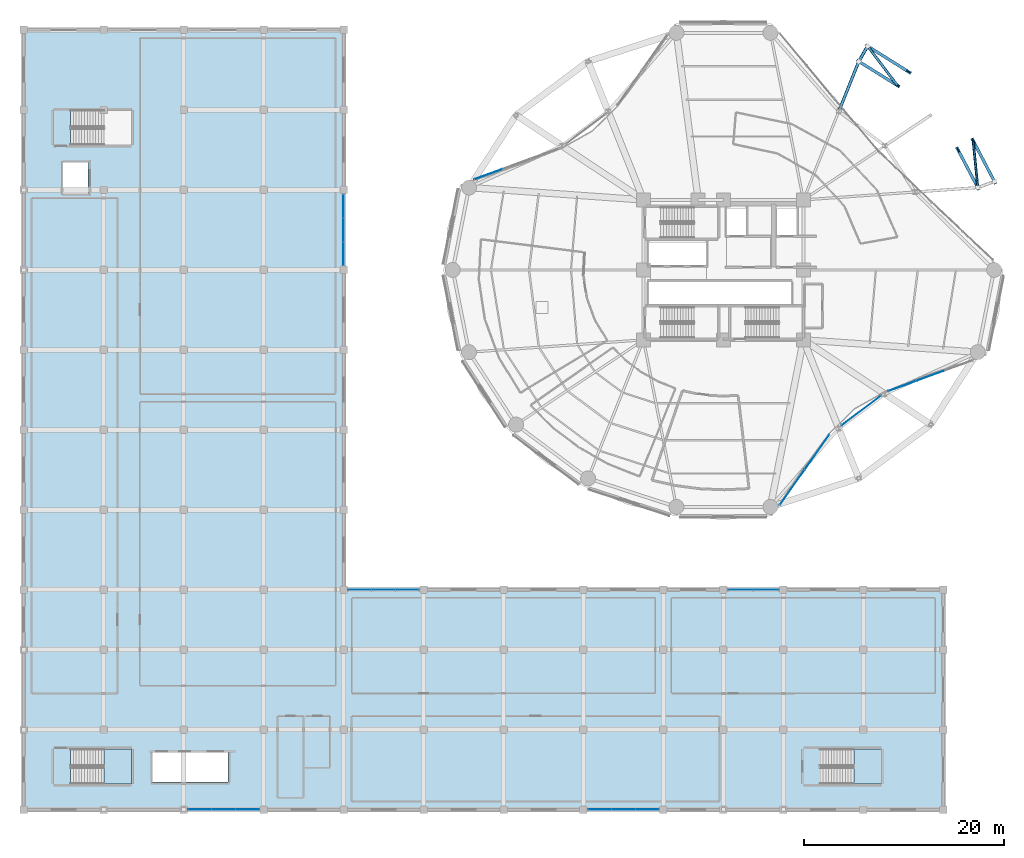
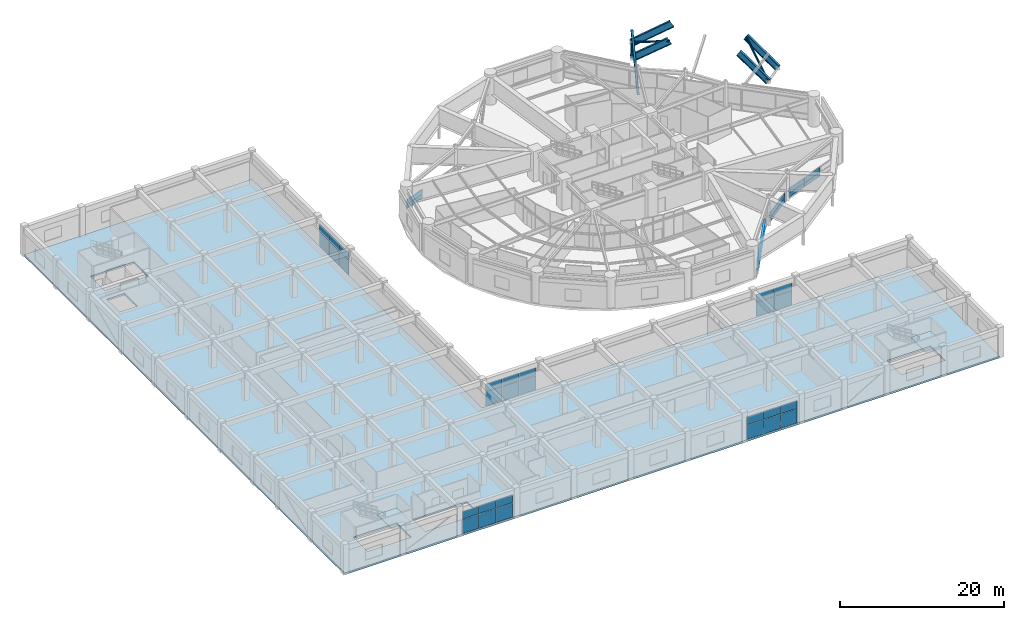
# One storey, part 38 of 53: 40 plates, 4 beams, 4 members, 3 slabs, 11 elements without a shape of their own.
"""IFC4 building model written with IfcOpenShell, lengths in metres."""

from ifc_helpers import new_model, si_unit, direction, frame, origin, origin_2d, place, context, subcontext, project, spatial, polyline, rectangle, hollow_rectangle, hollow_circle, i_section, outline, extrude, source, transform, mapped, material, layer, layer_set, material_profile, profile_set, type_object, element, aggregate, save


model = new_model("IFC4")

# Units and contexts
model_context = context("Model", 3, precision=1e-05, world=origin(), true_north=direction((0.0, 1.0)))
body_context = subcontext(model_context, "Body", "Model", "MODEL_VIEW")
ifc_project = project(units=[si_unit("LENGTHUNIT", "METRE"), si_unit("AREAUNIT", "SQUARE_METRE"), si_unit("VOLUMEUNIT", "CUBIC_METRE"), si_unit("PLANEANGLEUNIT", "RADIAN"), si_unit("MASSUNIT", "GRAM", prefix="KILO")], contexts=[model_context])

# Site, building, storey
site_placement = place(None, origin())
site = spatial("IfcSite", under=ifc_project, at=site_placement, CompositionType="ELEMENT")
building_placement = place(site_placement, origin())
building = spatial("IfcBuilding", under=site, at=building_placement, Name="Kelanora Arch Commons", CompositionType="ELEMENT")
storey_placement = place(building_placement, frame((0.0, 0.0, 9.0)))
storey = spatial("IfcBuildingStorey", under=building, at=storey_placement, Name="L02", CompositionType="ELEMENT", Elevation=9.0)

# Beams
ifc_material_1 = material(Name="Steel S355", Category="steel")
ifc_material_profile_1 = material_profile(ifc_material_1, i_section(OverallWidth=0.302001953125, OverallDepth=1.008056640625, WebThickness=0.02099609375, FlangeThickness=0.0400390625, FilletRadius=0.030029296875, at=origin_2d()), Name="HEM1000")
ifc_profile_set_1 = profile_set([ifc_material_profile_1], Name="Steel S355")
beam_type = type_object("IfcBeamType", Name="BM-ARCH-RIB", PredefinedType="USERDEFINED", material=ifc_profile_set_1)
beam_1_placement = place(storey_placement, frame((99.447021484375, 66.23583984375, 1.85009765625), z_axis=(-0.394778309359, 0.752745425407, 0.526805857018), x_axis=(-0.88559781432, -0.464452916097, 0.0)))
element("IfcBeam", 1, at=beam_1_placement, inside=storey, type_object=beam_type, Name="Parabolic Giant Arch Inner Rib 03", ObjectType="ARCH_RIB", PredefinedType="USERDEFINED", context=body_context, shape_type="SweptSolid", body=[
    extrude(i_section(OverallWidth=0.302001953125, OverallDepth=1.008056640625, WebThickness=0.02099609375, FlangeThickness=0.0400390625, FilletRadius=0.030029296875, at=origin_2d()), origin(), (0.0, 0.0, 1.0), 5.0537109375),
])
beam_2_placement = place(storey_placement, frame((101.110107421875, 66.84130859375, 2.89990234375), z_axis=(-0.389644846436, 0.748717903083, 0.536282010931), x_axis=(-0.887065672675, -0.461643252265, 0.0)))
element("IfcBeam", 2, at=beam_2_placement, inside=storey, type_object=beam_type, Name="Parabolic Giant Arch Outer Rib 03", ObjectType="ARCH_RIB", PredefinedType="USERDEFINED", context=body_context, shape_type="SweptSolid", body=[
    extrude(i_section(OverallWidth=0.302001953125, OverallDepth=1.008056640625, WebThickness=0.02099609375, FlangeThickness=0.0400390625, FilletRadius=0.030029296875, at=origin_2d()), origin(), (0.0, 0.0, 1.0), 5.454345703125),
])
beam_3_placement = place(storey_placement, frame((91.40673828125, 76.4462890625, 4.512451171875), z_axis=(-0.732879296661, 0.456349010208, -0.504612244607), x_axis=(-0.528581772688, -0.848882388545, 0.0)))
element("IfcBeam", 3, at=beam_3_placement, inside=storey, type_object=beam_type, Name="Parabolic Giant Arch Inner Rib 06", ObjectType="ARCH_RIB", PredefinedType="USERDEFINED", context=body_context, shape_type="SweptSolid", body=[
    extrude(i_section(OverallWidth=0.302001953125, OverallDepth=1.008056640625, WebThickness=0.02099609375, FlangeThickness=0.0400390625, FilletRadius=0.030029296875, at=origin_2d()), origin(), (0.0, 0.0, 1.0), 5.276123046875),
])
beam_4_placement = place(storey_placement, frame((92.54443359375, 77.80224609375, 5.824951171875), z_axis=(-0.725892747234, 0.455419938495, -0.515434185066), x_axis=(-0.531455754937, -0.847086052621, 0.0)))
element("IfcBeam", 4, at=beam_4_placement, inside=storey, type_object=beam_type, Name="Parabolic Giant Arch Outer Rib 06", ObjectType="ARCH_RIB", PredefinedType="USERDEFINED", context=body_context, shape_type="SweptSolid", body=[
    extrude(i_section(OverallWidth=0.302001953125, OverallDepth=1.008056640625, WebThickness=0.02099609375, FlangeThickness=0.0400390625, FilletRadius=0.030029296875, at=origin_2d()), origin(), (0.0, 0.0, 1.0), 5.6748046875),
])

# Members
ifc_material_profile_2 = material_profile(ifc_material_1, hollow_rectangle(XDim=0.300048828125, YDim=0.300048828125, WallThickness=0.01611328125, InnerFilletRadius=0.01611328125, OuterFilletRadius=0.031982421875, at=origin_2d()), Name="SHS300x300x16")
ifc_profile_set_2 = profile_set([ifc_material_profile_2], Name="Steel S355")
member_type_1 = type_object("IfcMemberType", Name="MEM-ARCH-SPND", PredefinedType="STRUT", material=ifc_profile_set_2)
member_1_placement = place(storey_placement, frame((85.545654296875, 73.866455078125, 0.10009765625), z_axis=(0.249033409148, 0.622781676519, 0.741704351153), x_axis=(-0.928517434423, 0.371288801302, 0.0)))
element("IfcMember", 5, at=member_1_placement, inside=storey, type_object=member_type_1, Name="Giant Arch Spandrel Strut 06", PredefinedType="STRUT", context=body_context, shape_type="SweptSolid", body=[
    extrude(hollow_rectangle(XDim=0.300048828125, YDim=0.300048828125, WallThickness=0.01611328125, InnerFilletRadius=0.01611328125, OuterFilletRadius=0.031982421875, at=origin_2d()), origin(), (0.0, 0.0, 1.0), 8.008544921875),
])
ifc_material_profile_3 = material_profile(ifc_material_1, hollow_circle(Radius=0.136474609375, WallThickness=0.012451171875, at=origin_2d()), Name="CHS273x12.5")
ifc_profile_set_3 = profile_set([ifc_material_profile_3], Name="Steel S355")
member_type_2 = type_object("IfcMemberType", Name="MEM-MKT-BRACE", PredefinedType="BRACE", material=ifc_profile_set_3)
member_2_placement = place(storey_placement, frame((99.447021484375, 66.23583984375, 1.85009765625), z_axis=(-0.074970252405, 0.760672814547, 0.644791695405), x_axis=(-0.995178277382, -0.098082599005, 0.0)))
element("IfcMember", 6, at=member_2_placement, inside=storey, type_object=member_type_2, Name="Giant Arch Spatial Diagonal Lacing 03", PredefinedType="BRACE", context=body_context, shape_type="SweptSolid", body=[
    extrude(hollow_circle(Radius=0.136474609375, WallThickness=0.012451171875, at=origin_2d()), origin(), (0.0, 0.0, 1.0), 6.16455078125),
])
member_3_placement = place(storey_placement, frame((91.40673828125, 76.4462890625, 4.512451171875), z_axis=(-0.573637645032, 0.758086595498, -0.310233083226), x_axis=(-0.797431444186, -0.603409555628, 0.0)))
element("IfcMember", 7, at=member_3_placement, inside=storey, type_object=member_type_2, Name="Giant Arch Spatial Diagonal Lacing 06", PredefinedType="BRACE", context=body_context, shape_type="SweptSolid", body=[
    extrude(hollow_circle(Radius=0.136474609375, WallThickness=0.012451171875, at=origin_2d()), origin(), (0.0, 0.0, 1.0), 5.19775390625),
])
ifc_material_profile_4 = material_profile(ifc_material_1, hollow_circle(Radius=0.161865234375, WallThickness=0.01611328125, at=origin_2d()), Name="CHS323.9x16")
ifc_profile_set_4 = profile_set([ifc_material_profile_4], Name="Steel S355")
member_type_3 = type_object("IfcMemberType", Name="MEM-MKT-CHORD", PredefinedType="CHORD", material=ifc_profile_set_4)
member_4_placement = place(storey_placement, frame((87.5400390625, 78.85400390625, 1.85009765625), z_axis=(0.430075384466, 0.744831245153, 0.510158387091), x_axis=(-0.866001808567, 0.500040865889, 0.0)))
element("IfcMember", 8, at=member_4_placement, inside=storey, type_object=member_type_3, Name="Giant Arch Transverse Strut 06", PredefinedType="CHORD", context=body_context, shape_type="SweptSolid", body=[
    extrude(hollow_circle(Radius=0.161865234375, WallThickness=0.01611328125, at=origin_2d()), origin(), (0.0, 0.0, 1.0), 2.057861328125),
])

# Slab
ifc_material_2 = material(Name="Concrete C40/50", Category="concrete")
ifc_layer_1 = layer(ifc_material_2, 0.260009765625)
ifc_layer_set_1 = layer_set([ifc_layer_1], Name="Concrete C40/50")
slab_type_1 = type_object("IfcSlabType", Name="SLB-MKT-SUSP", PredefinedType="FLOOR", material=ifc_layer_set_1)
slab_1_placement = place(storey_placement, frame((0.0, 0.0, -0.260009765625)))
element("IfcSlab", 9, at=slab_1_placement, inside=storey, type_object=slab_type_1, Name="Market Hall Floor Slab L02", PredefinedType="FLOOR", context=body_context, shape_type="SweptSolid", body=[
    extrude(outline(polyline([(4.0, 4.0), (96.0, 4.0), (96.0, 26.0), (36.0, 26.0), (36.0, 82.0), (4.0, 82.0), (4.0, 4.0)]), holes=[polyline([(24.449951171875, 6.75), (16.89990234375, 6.75), (16.89990234375, 9.699951171875), (24.449951171875, 9.699951171875), (24.449951171875, 6.75)]), polyline([(14.7919921875, 6.568115234375), (8.68798828125, 6.568115234375), (8.68798828125, 10.06201171875), (14.7919921875, 10.06201171875), (14.7919921875, 6.568115234375)]), polyline([(89.7919921875, 6.568115234375), (83.68798828125, 6.568115234375), (83.68798828125, 10.06201171875), (89.7919921875, 10.06201171875), (89.7919921875, 6.568115234375)]), polyline([(7.949951171875, 65.64990234375), (7.949951171875, 68.75), (10.449951171875, 68.75), (10.449951171875, 65.64990234375), (7.949951171875, 65.64990234375)]), polyline([(8.68798828125, 70.488037109375), (8.68798828125, 73.98193359375), (14.7919921875, 73.98193359375), (14.7919921875, 70.488037109375), (8.68798828125, 70.488037109375)])]), origin(), (0.0, 0.0, 1.0), 0.260009765625),
])

# Stair, slab
stair_type = type_object("IfcStairType", Name="STR-DL-450", PredefinedType="HALF_TURN_STAIR", material=ifc_material_2)
stair_1_placement = place(storey_placement, origin())
stair_1 = element("IfcStair", 10, at=stair_1_placement, inside=storey, type_object=stair_type, Name="L02 ST-M1", PredefinedType="HALF_TURN_STAIR")
ifc_layer_2 = layer(ifc_material_2, 0.199951171875)
ifc_layer_set_2 = layer_set([ifc_layer_2], Name="Concrete C40/50")
slab_type_2 = type_object("IfcSlabType", Name="SLB-STAIR-LND", PredefinedType="LANDING", material=ifc_layer_set_2)
slab_2_placement = place(storey_placement, frame((0.0, 0.0, 2.050048828125)))
slab_2 = element("IfcSlab", 11, at=slab_2_placement, type_object=slab_type_2, Name="ST-M1 landing 1", PredefinedType="LANDING", context=body_context, shape_type="SweptSolid", body=[
    extrude(outline(polyline([(12.0400390625, 6.56005859375), (14.800048828125, 6.56005859375), (14.800048828125, 10.070068359375), (12.0400390625, 10.070068359375), (12.0400390625, 6.56005859375)])), origin(), (0.0, 0.0, 1.0), 0.199951171875),
])
aggregate(stair_1, [slab_2])

stair_2_placement = place(storey_placement, origin())
stair_2 = element("IfcStair", 12, at=stair_2_placement, inside=storey, type_object=stair_type, Name="L02 ST-M2", PredefinedType="HALF_TURN_STAIR")
slab_3_placement = place(storey_placement, frame((0.0, 0.0, 2.050048828125)))
slab_3 = element("IfcSlab", 13, at=slab_3_placement, type_object=slab_type_2, Name="ST-M2 landing 1", PredefinedType="LANDING", context=body_context, shape_type="SweptSolid", body=[
    extrude(outline(polyline([(87.0400390625, 6.56005859375), (89.800048828125, 6.56005859375), (89.800048828125, 10.070068359375), (87.0400390625, 10.070068359375), (87.0400390625, 6.56005859375)])), origin(), (0.0, 0.0, 1.0), 0.199951171875),
])
aggregate(stair_2, [slab_3])

# Curtain wall, plates
ifc_material_3 = material(Name="Terracotta ceramic-fritted low-E glass and aluminium", Category="masonry")
ifc_layer_3 = layer(ifc_material_3, 0.2099609375)
ifc_layer_set_3 = layer_set([ifc_layer_3], Name="Terracotta ceramic-fritted low-E glass and aluminium")
curtain_wall_type_1 = type_object("IfcCurtainWallType", Name="CW-SYS-04", PredefinedType="NOTDEFINED", material=ifc_layer_set_3)
curtain_wall_1_placement = place(storey_placement, origin())
curtain_wall_1 = element("IfcCurtainWall", 14, at=curtain_wall_1_placement, inside=storey, type_object=curtain_wall_type_1, Name="Unitised Curtain Wall L02-B14", PredefinedType="NOTDEFINED")
ifc_material_4 = material(Name="Clear laminated solar-control double glazing", Category="glass")
ifc_layer_4 = layer(ifc_material_4, 0.033935546875)
ifc_layer_set_4 = layer_set([ifc_layer_4], Name="Clear laminated solar-control double glazing")
plate_type = type_object("IfcPlateType", Name="CWP-CLR", PredefinedType="CURTAIN_PANEL", material=ifc_layer_set_4)
shared_shape_1 = source(origin(), body_context, "Body", "SweptSolid", [
    extrude(rectangle(XDim=4.241455078125, YDim=0.033935546875, at=origin_2d()), origin(), (0.0, 0.0, 1.0), 0.575927734375),
])
plate_1_placement = place(storey_placement, frame((80.886474609375, 36.250244140625, 0.06005859375), z_axis=(0.0, 0.0, 1.0), x_axis=(0.576345499922, 0.817206133555, 0.0)))
plate_1 = element("IfcPlate", 15, at=plate_1_placement, type_object=plate_type, Name="CW-04 panel 1.1", PredefinedType="CURTAIN_PANEL", context=body_context, shape_type="MappedRepresentation", body=[
    mapped(shared_shape_1, transform((0.0, 0.0, 0.0), scale=1.0)),
])
plate_2_placement = place(storey_placement, frame((83.365478515625, 39.76513671875, 0.06005859375), z_axis=(0.0, 0.0, 1.0), x_axis=(0.576345499922, 0.817206133555, 0.0)))
plate_2 = element("IfcPlate", 16, at=plate_2_placement, type_object=plate_type, Name="CW-04 panel 2.1", PredefinedType="CURTAIN_PANEL", context=body_context, shape_type="MappedRepresentation", body=[
    mapped(shared_shape_1, transform((0.0, 0.0, 0.0), scale=1.0)),
])
shared_shape_2 = source(origin(), body_context, "Body", "SweptSolid", [
    extrude(rectangle(XDim=4.241455078125, YDim=0.033935546875, at=origin_2d()), origin(), (0.0, 0.0, 1.0), 0.72412109375),
])
plate_3_placement = place(storey_placement, frame((80.886474609375, 36.250244140625, 0.696044921875), z_axis=(0.0, 0.0, 1.0), x_axis=(0.576345499922, 0.817206133555, 0.0)))
plate_3 = element("IfcPlate", 17, at=plate_3_placement, type_object=plate_type, Name="CW-04 panel 1.2", PredefinedType="CURTAIN_PANEL", context=body_context, shape_type="MappedRepresentation", body=[
    mapped(shared_shape_2, transform((0.0, 0.0, 0.0), scale=1.0)),
])
plate_4_placement = place(storey_placement, frame((83.365478515625, 39.76513671875, 0.696044921875), z_axis=(0.0, 0.0, 1.0), x_axis=(0.576345499922, 0.817206133555, 0.0)))
plate_4 = element("IfcPlate", 18, at=plate_4_placement, type_object=plate_type, Name="CW-04 panel 2.2", PredefinedType="CURTAIN_PANEL", context=body_context, shape_type="MappedRepresentation", body=[
    mapped(shared_shape_2, transform((0.0, 0.0, 0.0), scale=1.0)),
])
aggregate(curtain_wall_1, [plate_1, plate_3, plate_2, plate_4])

curtain_wall_2_placement = place(storey_placement, origin())
curtain_wall_2 = element("IfcCurtainWall", 19, at=curtain_wall_2_placement, inside=storey, type_object=curtain_wall_type_1, Name="Unitised Curtain Wall L02-B15", PredefinedType="NOTDEFINED")
shared_shape_3 = source(origin(), body_context, "Body", "SweptSolid", [
    extrude(rectangle(XDim=4.849609375, YDim=0.033935546875, at=origin_2d()), origin(), (0.0, 0.0, 1.0), 0.575927734375),
])
plate_5_placement = place(storey_placement, frame((87.79541015625, 43.930419921875, 0.06005859375), z_axis=(0.0, 0.0, 1.0), x_axis=(0.80030897426, 0.599587813185, 0.0)))
plate_5 = element("IfcPlate", 20, at=plate_5_placement, type_object=plate_type, Name="CW-04 panel 1.1", PredefinedType="CURTAIN_PANEL", context=body_context, shape_type="MappedRepresentation", body=[
    mapped(shared_shape_3, transform((0.0, 0.0, 0.0), scale=1.0)),
])
shared_shape_4 = source(origin(), body_context, "Body", "SweptSolid", [
    extrude(rectangle(XDim=4.849609375, YDim=0.033935546875, at=origin_2d()), origin(), (0.0, 0.0, 1.0), 0.72412109375),
])
plate_6_placement = place(storey_placement, frame((87.79541015625, 43.930419921875, 0.696044921875), z_axis=(0.0, 0.0, 1.0), x_axis=(0.80030897426, 0.599587813185, 0.0)))
plate_6 = element("IfcPlate", 21, at=plate_6_placement, type_object=plate_type, Name="CW-04 panel 1.2", PredefinedType="CURTAIN_PANEL", context=body_context, shape_type="MappedRepresentation", body=[
    mapped(shared_shape_4, transform((0.0, 0.0, 0.0), scale=1.0)),
])
aggregate(curtain_wall_2, [plate_5, plate_6])

# Curtain wall, plate
curtain_wall_3_placement = place(storey_placement, origin())
curtain_wall_3 = element("IfcCurtainWall", 22, at=curtain_wall_3_placement, inside=storey, type_object=curtain_wall_type_1, Name="Unitised Curtain Wall L02-B07", PredefinedType="NOTDEFINED")
shared_shape_5 = source(origin(), body_context, "Body", "SweptSolid", [
    extrude(rectangle(XDim=2.9296875, YDim=0.033935546875, at=origin_2d()), origin(), (0.0, 0.0, 1.0), 0.575927734375),
])
plate_7_placement = place(storey_placement, frame((50.4755859375, 67.56591796875, 0.06005859375), z_axis=(0.0, 0.0, 1.0), x_axis=(-0.939584077951, -0.342318215206, 0.0)))
plate_7 = element("IfcPlate", 23, at=plate_7_placement, type_object=plate_type, Name="CW-04 panel 3.1", PredefinedType="CURTAIN_PANEL", context=body_context, shape_type="MappedRepresentation", body=[
    mapped(shared_shape_5, transform((0.0, 0.0, 0.0), scale=1.0)),
])

curtain_wall_4_placement = place(storey_placement, origin())
curtain_wall_4 = element("IfcCurtainWall", 24, at=curtain_wall_4_placement, inside=storey, type_object=curtain_wall_type_1, Name="Unitised Curtain Wall L02-B16", PredefinedType="NOTDEFINED")
plate_8_placement = place(storey_placement, frame((91.8779296875, 46.376953125, 0.06005859375), z_axis=(0.0, 0.0, 1.0), x_axis=(0.939584077951, 0.342318215206, 0.0)))
plate_8 = element("IfcPlate", 25, at=plate_8_placement, type_object=plate_type, Name="CW-04 panel 1.1", PredefinedType="CURTAIN_PANEL", context=body_context, shape_type="MappedRepresentation", body=[
    mapped(shared_shape_5, transform((0.0, 0.0, 0.0), scale=1.0)),
])

# Plate
shared_shape_6 = source(origin(), body_context, "Body", "SweptSolid", [
    extrude(rectangle(XDim=2.9296875, YDim=0.033935546875, at=origin_2d()), origin(), (0.0, 0.0, 1.0), 0.72412109375),
])
plate_9_placement = place(storey_placement, frame((50.4755859375, 67.56591796875, 0.696044921875), z_axis=(0.0, 0.0, 1.0), x_axis=(-0.939584077951, -0.342318215206, 0.0)))
plate_9 = element("IfcPlate", 26, at=plate_9_placement, type_object=plate_type, Name="CW-04 panel 3.2", PredefinedType="CURTAIN_PANEL", context=body_context, shape_type="MappedRepresentation", body=[
    mapped(shared_shape_6, transform((0.0, 0.0, 0.0), scale=1.0)),
])

aggregate(curtain_wall_3, [plate_7, plate_9])

plate_10_placement = place(storey_placement, frame((91.8779296875, 46.376953125, 0.696044921875), z_axis=(0.0, 0.0, 1.0), x_axis=(0.939584077951, 0.342318215206, 0.0)))
plate_10 = element("IfcPlate", 27, at=plate_10_placement, type_object=plate_type, Name="CW-04 panel 1.2", PredefinedType="CURTAIN_PANEL", context=body_context, shape_type="MappedRepresentation", body=[
    mapped(shared_shape_6, transform((0.0, 0.0, 0.0), scale=1.0)),
])

shared_shape_7 = source(origin(), body_context, "Body", "SweptSolid", [
    extrude(rectangle(XDim=2.959716796875, YDim=0.033935546875, at=origin_2d()), origin(), (0.0, 0.0, 1.0), 0.575927734375),
])
plate_11_placement = place(storey_placement, frame((94.701171875, 47.405517578125, 0.06005859375), z_axis=(0.0, 0.0, 1.0), x_axis=(0.939584077951, 0.342318215206, 0.0)))
plate_11 = element("IfcPlate", 28, at=plate_11_placement, type_object=plate_type, Name="CW-04 panel 2.1", PredefinedType="CURTAIN_PANEL", context=body_context, shape_type="MappedRepresentation", body=[
    mapped(shared_shape_7, transform((0.0, 0.0, 0.0), scale=1.0)),
])

shared_shape_8 = source(origin(), body_context, "Body", "SweptSolid", [
    extrude(rectangle(XDim=2.959716796875, YDim=0.033935546875, at=origin_2d()), origin(), (0.0, 0.0, 1.0), 0.72412109375),
])
plate_12_placement = place(storey_placement, frame((94.701171875, 47.405517578125, 0.696044921875), z_axis=(0.0, 0.0, 1.0), x_axis=(0.939584077951, 0.342318215206, 0.0)))
plate_12 = element("IfcPlate", 29, at=plate_12_placement, type_object=plate_type, Name="CW-04 panel 2.2", PredefinedType="CURTAIN_PANEL", context=body_context, shape_type="MappedRepresentation", body=[
    mapped(shared_shape_8, transform((0.0, 0.0, 0.0), scale=1.0)),
])

aggregate(curtain_wall_4, [plate_8, plate_10, plate_11, plate_12])

# Curtain wall, plates
ifc_layer_5 = layer(ifc_material_3, 0.16796875)
ifc_layer_set_5 = layer_set([ifc_layer_5], Name="Terracotta ceramic-fritted low-E glass and aluminium")
curtain_wall_type_2 = type_object("IfcCurtainWallType", Name="CW-SYS-07", PredefinedType="NOTDEFINED", material=ifc_layer_set_5)
curtain_wall_5_placement = place(storey_placement, origin())
curtain_wall_5 = element("IfcCurtainWall", 30, at=curtain_wall_5_placement, inside=storey, type_object=curtain_wall_type_2, Name="Market Hall Arcade Curtain Wall L02-02", PredefinedType="NOTDEFINED")
shared_shape_9 = source(origin(), body_context, "Body", "SweptSolid", [
    extrude(rectangle(XDim=2.31005859375, YDim=0.033935546875, at=origin_2d()), origin(), (0.0, 0.0, 1.0), 2.110107421875),
])
plate_13_placement = place(storey_placement, frame((21.614990234375, 4.0, 0.06005859375), z_axis=(0.0, 0.0, 1.0), x_axis=(1.0, 0.0, 0.0)))
plate_13 = element("IfcPlate", 31, at=plate_13_placement, type_object=plate_type, Name="CW-07 panel 1.1", PredefinedType="CURTAIN_PANEL", context=body_context, shape_type="MappedRepresentation", body=[
    mapped(shared_shape_9, transform((0.0, 0.0, 0.0), scale=1.0)),
])
plate_14_placement = place(storey_placement, frame((26.385009765625, 4.0, 0.06005859375), z_axis=(0.0, 0.0, 1.0), x_axis=(1.0, 0.0, 0.0)))
plate_14 = element("IfcPlate", 32, at=plate_14_placement, type_object=plate_type, Name="CW-07 panel 3.1", PredefinedType="CURTAIN_PANEL", context=body_context, shape_type="MappedRepresentation", body=[
    mapped(shared_shape_9, transform((0.0, 0.0, 0.0), scale=1.0)),
])

curtain_wall_6_placement = place(storey_placement, origin())
curtain_wall_6 = element("IfcCurtainWall", 33, at=curtain_wall_6_placement, inside=storey, type_object=curtain_wall_type_2, Name="Market Hall Arcade Curtain Wall L02-07", PredefinedType="NOTDEFINED")
plate_15_placement = place(storey_placement, frame((61.614990234375, 4.0, 0.06005859375), z_axis=(0.0, 0.0, 1.0), x_axis=(1.0, 0.0, 0.0)))
plate_15 = element("IfcPlate", 34, at=plate_15_placement, type_object=plate_type, Name="CW-07 panel 1.1", PredefinedType="CURTAIN_PANEL", context=body_context, shape_type="MappedRepresentation", body=[
    mapped(shared_shape_9, transform((0.0, 0.0, 0.0), scale=1.0)),
])
plate_16_placement = place(storey_placement, frame((66.385009765625, 4.0, 0.06005859375), z_axis=(0.0, 0.0, 1.0), x_axis=(1.0, 0.0, 0.0)))
plate_16 = element("IfcPlate", 35, at=plate_16_placement, type_object=plate_type, Name="CW-07 panel 3.1", PredefinedType="CURTAIN_PANEL", context=body_context, shape_type="MappedRepresentation", body=[
    mapped(shared_shape_9, transform((0.0, 0.0, 0.0), scale=1.0)),
])

curtain_wall_7_placement = place(storey_placement, origin())
curtain_wall_7 = element("IfcCurtainWall", 36, at=curtain_wall_7_placement, inside=storey, type_object=curtain_wall_type_2, Name="Market Hall Arcade Curtain Wall L02-22", PredefinedType="NOTDEFINED")
plate_17_placement = place(storey_placement, frame((42.385009765625, 26.0, 0.06005859375), z_axis=(0.0, 0.0, 1.0), x_axis=(-1.0, 0.0, 0.0)))
plate_17 = element("IfcPlate", 37, at=plate_17_placement, type_object=plate_type, Name="CW-07 panel 1.1", PredefinedType="CURTAIN_PANEL", context=body_context, shape_type="MappedRepresentation", body=[
    mapped(shared_shape_9, transform((0.0, 0.0, 0.0), scale=1.0)),
])
plate_18_placement = place(storey_placement, frame((37.614990234375, 26.0, 0.06005859375), z_axis=(0.0, 0.0, 1.0), x_axis=(-1.0, 0.0, 0.0)))
plate_18 = element("IfcPlate", 38, at=plate_18_placement, type_object=plate_type, Name="CW-07 panel 3.1", PredefinedType="CURTAIN_PANEL", context=body_context, shape_type="MappedRepresentation", body=[
    mapped(shared_shape_9, transform((0.0, 0.0, 0.0), scale=1.0)),
])

curtain_wall_8_placement = place(storey_placement, origin())
curtain_wall_8 = element("IfcCurtainWall", 39, at=curtain_wall_8_placement, inside=storey, type_object=curtain_wall_type_2, Name="Market Hall Arcade Curtain Wall L02-27", PredefinedType="NOTDEFINED")
plate_19_placement = place(storey_placement, frame((36.0, 59.614990234375, 0.06005859375), z_axis=(0.0, 0.0, 1.0), x_axis=(0.0, 1.0, 0.0)))
plate_19 = element("IfcPlate", 40, at=plate_19_placement, type_object=plate_type, Name="CW-07 panel 1.1", PredefinedType="CURTAIN_PANEL", context=body_context, shape_type="MappedRepresentation", body=[
    mapped(shared_shape_9, transform((0.0, 0.0, 0.0), scale=1.0)),
])
plate_20_placement = place(storey_placement, frame((36.0, 64.385009765625, 0.06005859375), z_axis=(0.0, 0.0, 1.0), x_axis=(0.0, 1.0, 0.0)))
plate_20 = element("IfcPlate", 41, at=plate_20_placement, type_object=plate_type, Name="CW-07 panel 3.1", PredefinedType="CURTAIN_PANEL", context=body_context, shape_type="MappedRepresentation", body=[
    mapped(shared_shape_9, transform((0.0, 0.0, 0.0), scale=1.0)),
])

# Plate
shared_shape_10 = source(origin(), body_context, "Body", "SweptSolid", [
    extrude(rectangle(XDim=2.31005859375, YDim=0.033935546875, at=origin_2d()), origin(), (0.0, 0.0, 1.0), 1.1298828125),
])
plate_21_placement = place(storey_placement, frame((21.614990234375, 4.0, 2.22998046875), z_axis=(0.0, 0.0, 1.0), x_axis=(1.0, 0.0, 0.0)))
plate_21 = element("IfcPlate", 42, at=plate_21_placement, type_object=plate_type, Name="CW-07 panel 1.2", PredefinedType="CURTAIN_PANEL", context=body_context, shape_type="MappedRepresentation", body=[
    mapped(shared_shape_10, transform((0.0, 0.0, 0.0), scale=1.0)),
])

plate_22_placement = place(storey_placement, frame((26.385009765625, 4.0, 2.22998046875), z_axis=(0.0, 0.0, 1.0), x_axis=(1.0, 0.0, 0.0)))
plate_22 = element("IfcPlate", 43, at=plate_22_placement, type_object=plate_type, Name="CW-07 panel 3.2", PredefinedType="CURTAIN_PANEL", context=body_context, shape_type="MappedRepresentation", body=[
    mapped(shared_shape_10, transform((0.0, 0.0, 0.0), scale=1.0)),
])

plate_23_placement = place(storey_placement, frame((61.614990234375, 4.0, 2.22998046875), z_axis=(0.0, 0.0, 1.0), x_axis=(1.0, 0.0, 0.0)))
plate_23 = element("IfcPlate", 44, at=plate_23_placement, type_object=plate_type, Name="CW-07 panel 1.2", PredefinedType="CURTAIN_PANEL", context=body_context, shape_type="MappedRepresentation", body=[
    mapped(shared_shape_10, transform((0.0, 0.0, 0.0), scale=1.0)),
])

plate_24_placement = place(storey_placement, frame((66.385009765625, 4.0, 2.22998046875), z_axis=(0.0, 0.0, 1.0), x_axis=(1.0, 0.0, 0.0)))
plate_24 = element("IfcPlate", 45, at=plate_24_placement, type_object=plate_type, Name="CW-07 panel 3.2", PredefinedType="CURTAIN_PANEL", context=body_context, shape_type="MappedRepresentation", body=[
    mapped(shared_shape_10, transform((0.0, 0.0, 0.0), scale=1.0)),
])

plate_25_placement = place(storey_placement, frame((42.385009765625, 26.0, 2.22998046875), z_axis=(0.0, 0.0, 1.0), x_axis=(-1.0, 0.0, 0.0)))
plate_25 = element("IfcPlate", 46, at=plate_25_placement, type_object=plate_type, Name="CW-07 panel 1.2", PredefinedType="CURTAIN_PANEL", context=body_context, shape_type="MappedRepresentation", body=[
    mapped(shared_shape_10, transform((0.0, 0.0, 0.0), scale=1.0)),
])

plate_26_placement = place(storey_placement, frame((37.614990234375, 26.0, 2.22998046875), z_axis=(0.0, 0.0, 1.0), x_axis=(-1.0, 0.0, 0.0)))
plate_26 = element("IfcPlate", 47, at=plate_26_placement, type_object=plate_type, Name="CW-07 panel 3.2", PredefinedType="CURTAIN_PANEL", context=body_context, shape_type="MappedRepresentation", body=[
    mapped(shared_shape_10, transform((0.0, 0.0, 0.0), scale=1.0)),
])

plate_27_placement = place(storey_placement, frame((36.0, 59.614990234375, 2.22998046875), z_axis=(0.0, 0.0, 1.0), x_axis=(0.0, 1.0, 0.0)))
plate_27 = element("IfcPlate", 48, at=plate_27_placement, type_object=plate_type, Name="CW-07 panel 1.2", PredefinedType="CURTAIN_PANEL", context=body_context, shape_type="MappedRepresentation", body=[
    mapped(shared_shape_10, transform((0.0, 0.0, 0.0), scale=1.0)),
])

plate_28_placement = place(storey_placement, frame((36.0, 64.385009765625, 2.22998046875), z_axis=(0.0, 0.0, 1.0), x_axis=(0.0, 1.0, 0.0)))
plate_28 = element("IfcPlate", 49, at=plate_28_placement, type_object=plate_type, Name="CW-07 panel 3.2", PredefinedType="CURTAIN_PANEL", context=body_context, shape_type="MappedRepresentation", body=[
    mapped(shared_shape_10, transform((0.0, 0.0, 0.0), scale=1.0)),
])

shared_shape_11 = source(origin(), body_context, "Body", "SweptSolid", [
    extrude(rectangle(XDim=2.340087890625, YDim=0.033935546875, at=origin_2d()), origin(), (0.0, 0.0, 1.0), 2.110107421875),
])
plate_29_placement = place(storey_placement, frame((24.0, 4.0, 0.06005859375), z_axis=(0.0, 0.0, 1.0), x_axis=(1.0, 0.0, 0.0)))
plate_29 = element("IfcPlate", 50, at=plate_29_placement, type_object=plate_type, Name="CW-07 panel 2.1", PredefinedType="CURTAIN_PANEL", context=body_context, shape_type="MappedRepresentation", body=[
    mapped(shared_shape_11, transform((0.0, 0.0, 0.0), scale=1.0)),
])

plate_30_placement = place(storey_placement, frame((64.0, 4.0, 0.06005859375), z_axis=(0.0, 0.0, 1.0), x_axis=(1.0, 0.0, 0.0)))
plate_30 = element("IfcPlate", 51, at=plate_30_placement, type_object=plate_type, Name="CW-07 panel 2.1", PredefinedType="CURTAIN_PANEL", context=body_context, shape_type="MappedRepresentation", body=[
    mapped(shared_shape_11, transform((0.0, 0.0, 0.0), scale=1.0)),
])

plate_31_placement = place(storey_placement, frame((40.0, 26.0, 0.06005859375), z_axis=(0.0, 0.0, 1.0), x_axis=(-1.0, 0.0, 0.0)))
plate_31 = element("IfcPlate", 52, at=plate_31_placement, type_object=plate_type, Name="CW-07 panel 2.1", PredefinedType="CURTAIN_PANEL", context=body_context, shape_type="MappedRepresentation", body=[
    mapped(shared_shape_11, transform((0.0, 0.0, 0.0), scale=1.0)),
])

plate_32_placement = place(storey_placement, frame((36.0, 62.0, 0.06005859375), z_axis=(0.0, 0.0, 1.0), x_axis=(0.0, 1.0, 0.0)))
plate_32 = element("IfcPlate", 53, at=plate_32_placement, type_object=plate_type, Name="CW-07 panel 2.1", PredefinedType="CURTAIN_PANEL", context=body_context, shape_type="MappedRepresentation", body=[
    mapped(shared_shape_11, transform((0.0, 0.0, 0.0), scale=1.0)),
])

shared_shape_12 = source(origin(), body_context, "Body", "SweptSolid", [
    extrude(rectangle(XDim=2.340087890625, YDim=0.033935546875, at=origin_2d()), origin(), (0.0, 0.0, 1.0), 1.1298828125),
])
plate_33_placement = place(storey_placement, frame((24.0, 4.0, 2.22998046875), z_axis=(0.0, 0.0, 1.0), x_axis=(1.0, 0.0, 0.0)))
plate_33 = element("IfcPlate", 54, at=plate_33_placement, type_object=plate_type, Name="CW-07 panel 2.2", PredefinedType="CURTAIN_PANEL", context=body_context, shape_type="MappedRepresentation", body=[
    mapped(shared_shape_12, transform((0.0, 0.0, 0.0), scale=1.0)),
])

aggregate(curtain_wall_5, [plate_13, plate_21, plate_29, plate_33, plate_14, plate_22])

plate_34_placement = place(storey_placement, frame((64.0, 4.0, 2.22998046875), z_axis=(0.0, 0.0, 1.0), x_axis=(1.0, 0.0, 0.0)))
plate_34 = element("IfcPlate", 55, at=plate_34_placement, type_object=plate_type, Name="CW-07 panel 2.2", PredefinedType="CURTAIN_PANEL", context=body_context, shape_type="MappedRepresentation", body=[
    mapped(shared_shape_12, transform((0.0, 0.0, 0.0), scale=1.0)),
])

aggregate(curtain_wall_6, [plate_15, plate_23, plate_30, plate_34, plate_16, plate_24])

plate_35_placement = place(storey_placement, frame((40.0, 26.0, 2.22998046875), z_axis=(0.0, 0.0, 1.0), x_axis=(-1.0, 0.0, 0.0)))
plate_35 = element("IfcPlate", 56, at=plate_35_placement, type_object=plate_type, Name="CW-07 panel 2.2", PredefinedType="CURTAIN_PANEL", context=body_context, shape_type="MappedRepresentation", body=[
    mapped(shared_shape_12, transform((0.0, 0.0, 0.0), scale=1.0)),
])

aggregate(curtain_wall_7, [plate_17, plate_25, plate_31, plate_35, plate_18, plate_26])

plate_36_placement = place(storey_placement, frame((36.0, 62.0, 2.22998046875), z_axis=(0.0, 0.0, 1.0), x_axis=(0.0, 1.0, 0.0)))
plate_36 = element("IfcPlate", 57, at=plate_36_placement, type_object=plate_type, Name="CW-07 panel 2.2", PredefinedType="CURTAIN_PANEL", context=body_context, shape_type="MappedRepresentation", body=[
    mapped(shared_shape_12, transform((0.0, 0.0, 0.0), scale=1.0)),
])

aggregate(curtain_wall_8, [plate_19, plate_27, plate_32, plate_36, plate_20, plate_28])

# Curtain wall, plates
curtain_wall_9_placement = place(storey_placement, origin())
curtain_wall_9 = element("IfcCurtainWall", 58, at=curtain_wall_9_placement, inside=storey, type_object=curtain_wall_type_2, Name="Market Hall Arcade Curtain Wall L02-17", PredefinedType="NOTDEFINED")
shared_shape_13 = source(origin(), body_context, "Body", "SweptSolid", [
    extrude(rectangle(XDim=2.510009765625, YDim=0.033935546875, at=origin_2d()), origin(), (0.0, 0.0, 1.0), 2.110107421875),
])
plate_37_placement = place(storey_placement, frame((78.284912109375, 26.0, 0.06005859375), z_axis=(0.0, 0.0, 1.0), x_axis=(-1.0, 0.0, 0.0)))
plate_37 = element("IfcPlate", 59, at=plate_37_placement, type_object=plate_type, Name="CW-07 panel 1.1", PredefinedType="CURTAIN_PANEL", context=body_context, shape_type="MappedRepresentation", body=[
    mapped(shared_shape_13, transform((0.0, 0.0, 0.0), scale=1.0)),
])
plate_38_placement = place(storey_placement, frame((75.715087890625, 26.0, 0.06005859375), z_axis=(0.0, 0.0, 1.0), x_axis=(-1.0, 0.0, 0.0)))
plate_38 = element("IfcPlate", 60, at=plate_38_placement, type_object=plate_type, Name="CW-07 panel 2.1", PredefinedType="CURTAIN_PANEL", context=body_context, shape_type="MappedRepresentation", body=[
    mapped(shared_shape_13, transform((0.0, 0.0, 0.0), scale=1.0)),
])
shared_shape_14 = source(origin(), body_context, "Body", "SweptSolid", [
    extrude(rectangle(XDim=2.510009765625, YDim=0.033935546875, at=origin_2d()), origin(), (0.0, 0.0, 1.0), 1.1298828125),
])
plate_39_placement = place(storey_placement, frame((78.284912109375, 26.0, 2.22998046875), z_axis=(0.0, 0.0, 1.0), x_axis=(-1.0, 0.0, 0.0)))
plate_39 = element("IfcPlate", 61, at=plate_39_placement, type_object=plate_type, Name="CW-07 panel 1.2", PredefinedType="CURTAIN_PANEL", context=body_context, shape_type="MappedRepresentation", body=[
    mapped(shared_shape_14, transform((0.0, 0.0, 0.0), scale=1.0)),
])
plate_40_placement = place(storey_placement, frame((75.715087890625, 26.0, 2.22998046875), z_axis=(0.0, 0.0, 1.0), x_axis=(-1.0, 0.0, 0.0)))
plate_40 = element("IfcPlate", 62, at=plate_40_placement, type_object=plate_type, Name="CW-07 panel 2.2", PredefinedType="CURTAIN_PANEL", context=body_context, shape_type="MappedRepresentation", body=[
    mapped(shared_shape_14, transform((0.0, 0.0, 0.0), scale=1.0)),
])
aggregate(curtain_wall_9, [plate_37, plate_39, plate_38, plate_40])

save(model, "model.ifc")
